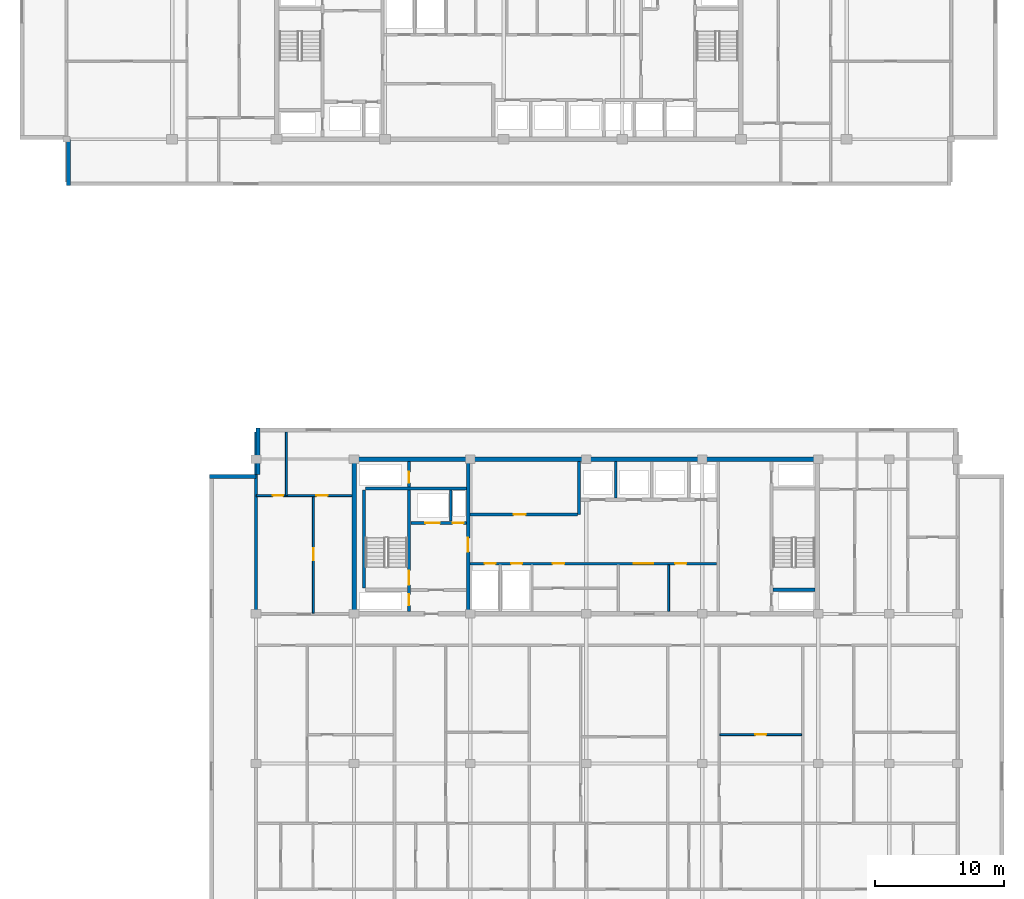
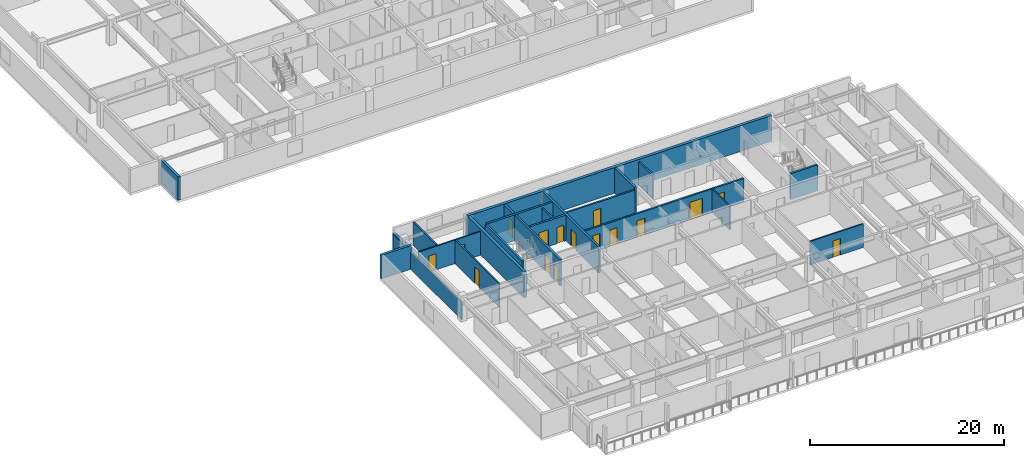
# One storey, part 6 of 21: 22 walls, 16 doors, 16 openings.
"""IFC4 building model written with IfcOpenShell, lengths in metres."""

from ifc_helpers import new_model, si_unit, direction, frame, frame_2d, origin, place, context, subcontext, project, spatial, rectangle, extrude, material, layer, layer_set, type_object, element, fill, save


model = new_model("IFC4")

# Units and contexts
model_context = context("Model", 3, precision=1e-05, world=origin(), true_north=direction((0.0, 1.0)))
body_context = subcontext(model_context, "Body", "Model", "MODEL_VIEW")
ifc_project = project(units=[si_unit("LENGTHUNIT", "METRE"), si_unit("AREAUNIT", "SQUARE_METRE"), si_unit("VOLUMEUNIT", "CUBIC_METRE"), si_unit("PLANEANGLEUNIT", "RADIAN"), si_unit("MASSUNIT", "GRAM", prefix="KILO")], contexts=[model_context])

# Site, building, storey
site_placement = place(None, origin())
site = spatial("IfcSite", under=ifc_project, at=site_placement, CompositionType="ELEMENT")
building_placement = place(site_placement, origin())
building = spatial("IfcBuilding", under=site, at=building_placement, Name="Korimba Cascade Residences", CompositionType="ELEMENT")
storey_placement = place(building_placement, frame((0.0, 0.0, 171.85009765625)))
storey = spatial("IfcBuildingStorey", under=building, at=storey_placement, Name="L49", CompositionType="ELEMENT", Elevation=171.85009765625)

# Walls
ifc_material_1 = material(Name="Precast concrete C40/50", Category="concrete")
ifc_layer_1 = layer(ifc_material_1, 0.300048828125)
ifc_layer_set_1 = layer_set([ifc_layer_1], Name="Precast concrete C40/50")
wall_type_1 = type_object("IfcWallType", Name="EW-STONE-300", PredefinedType="STANDARD", material=ifc_layer_set_1)
wall_1_placement = place(storey_placement, frame((59.949951171875, 55.199951171875, 0.0), z_axis=(0.0, 0.0, 1.0), x_axis=(0.0, -1.0, 0.0)))
element("IfcWall", 1, at=wall_1_placement, inside=storey, type_object=wall_type_1, Name="L49 T1 Perimeter Stone Wall E11", PredefinedType="STANDARD", context=body_context, shape_type="SweptSolid", body=[
    extrude(rectangle(XDim=3.599853515625, YDim=0.300048828125, at=frame_2d((1.7998046875, 0.0))), origin(), (0.0, 0.0, 1.0), 2.969970703125),
])
wall_2_placement = place(storey_placement, frame((74.64990234375, 32.800048828125, 0.0), z_axis=(0.0, 0.0, 1.0), x_axis=(0.0, -1.0, 0.0)))
element("IfcWall", 2, at=wall_2_placement, inside=storey, type_object=wall_type_1, Name="L49 T2 Perimeter Stone Wall E07", PredefinedType="STANDARD", context=body_context, shape_type="SweptSolid", body=[
    extrude(rectangle(XDim=3.60009765625, YDim=0.300048828125, at=frame_2d((1.800048828125, 0.0))), origin(), (0.0, 0.0, 1.0), 2.2001953125),
])
wall_3_placement = place(storey_placement, frame((74.5, 29.050048828125, 0.0), z_axis=(0.0, 0.0, 1.0), x_axis=(-1.0, 0.0, 0.0)))
element("IfcWall", 3, at=wall_3_placement, inside=storey, type_object=wall_type_1, Name="L49 T2 Perimeter Stone Wall E08", PredefinedType="STANDARD", context=body_context, shape_type="SweptSolid", body=[
    extrude(rectangle(XDim=3.60009765625, YDim=0.300048828125, at=frame_2d((1.800048828125, 0.0))), origin(), (0.0, 0.0, 1.0), 2.969970703125),
])
ifc_material_2 = material(Name="Concrete C65/80", Category="concrete")
ifc_layer_2 = layer(ifc_material_2, 0.35009765625)
ifc_layer_set_2 = layer_set([ifc_layer_2], Name="Concrete C65/80")
wall_type_2 = type_object("IfcWallType", Name="WAL-CORE-350", PredefinedType="SHEAR", material=ifc_layer_set_2)
wall_4_placement = place(storey_placement, frame((81.925048828125, 30.39990234375, 0.0), z_axis=(0.0, 0.0, 1.0), x_axis=(1.0, 0.0, 0.0)))
element("IfcWall", 4, at=wall_4_placement, inside=storey, type_object=wall_type_2, Name="L49 Core Shear Wall CW-L49-T2-N", PredefinedType="SHEAR", context=body_context, shape_type="SweptSolid", body=[
    extrude(rectangle(XDim=36.264892578125, YDim=0.35009765625, at=frame_2d((18.13232421875, 0.0))), origin(), (0.0, 0.0, 1.0), 3.25),
])
wall_5_placement = place(storey_placement, frame((82.10009765625, 18.574951171875, 0.0), z_axis=(0.0, 0.0, 1.0), x_axis=(0.0, 1.0, 0.0)))
element("IfcWall", 5, at=wall_5_placement, inside=storey, type_object=wall_type_2, Name="L49 Core Shear Wall CW-L49-T2-W", PredefinedType="SHEAR", context=body_context, shape_type="SweptSolid", body=[
    extrude(rectangle(XDim=11.650146484375, YDim=0.35009765625, at=frame_2d((5.8251953125, 0.0))), origin(), (0.0, 0.0, 1.0), 3.25),
])
ifc_layer_3 = layer(ifc_material_1, 0.199951171875)
ifc_layer_set_3 = layer_set([ifc_layer_3], Name="Precast concrete C40/50")
wall_type_3 = type_object("IfcWallType", Name="WAL-IT-200", PredefinedType="PARTITIONING", material=ifc_layer_set_3)
wall_6_placement = place(storey_placement, frame((74.5, 18.39990234375, 0.0), z_axis=(0.0, 0.0, 1.0), x_axis=(0.0, 1.0, 0.0)))
element("IfcWall", 6, at=wall_6_placement, inside=storey, type_object=wall_type_3, Name="L49 Partition Wall WAL-L49-T2-FW-WL", PredefinedType="PARTITIONING", context=body_context, shape_type="SweptSolid", body=[
    extrude(rectangle(XDim=14.10009765625, YDim=0.199951171875, at=frame_2d((7.050048828125, 0.0))), origin(), (0.0, 0.0, 1.0), 2.2001953125),
])
ifc_material_3 = material(Name="Insulated Acoustic Stud Partition", Category="gypsum")
ifc_layer_4 = layer(ifc_material_3, 0.14990234375)
ifc_layer_set_4 = layer_set([ifc_layer_4], Name="Insulated Acoustic Stud Partition")
wall_type_4 = type_object("IfcWallType", Name="WAL-PART-150", PredefinedType="PARTITIONING", material=ifc_layer_set_4)
wall_7_placement = place(storey_placement, frame((106.5, 18.60009765625, 0.0), z_axis=(0.0, 0.0, 1.0), x_axis=(0.0, 1.0, 0.0)))
element("IfcWall", 7, at=wall_7_placement, inside=storey, type_object=wall_type_4, Name="L49 Partition Wall CW-L49-T2-THE", PredefinedType="PARTITIONING", context=body_context, shape_type="SweptSolid", body=[
    extrude(rectangle(XDim=3.599853515625, YDim=0.14990234375, at=frame_2d((1.7998046875, 0.0))), origin(), (0.0, 0.0, 1.0), 2.969970703125),
])

# Wall, opening, door
wall_8_placement = place(storey_placement, frame((78.945068359375, 18.449951171875, 0.0), z_axis=(0.0, 0.0, 1.0), x_axis=(0.0, 1.0, 0.0)))
wall_8 = element("IfcWall", 8, at=wall_8_placement, inside=storey, type_object=wall_type_4, Name="L49 Partition Wall WAL-L49-T2-FW-VS", PredefinedType="PARTITIONING", context=body_context, shape_type="SweptSolid", body=[
    extrude(rectangle(XDim=9.1201171875, YDim=0.14990234375, at=frame_2d((4.56005859375, 0.0))), origin(), (0.0, 0.0, 1.0), 2.969970703125),
])
opening_1_placement = place(wall_8_placement, frame((4.10009765625, 0.0, 0.0)))
opening_1 = element("IfcOpeningElement", 9, at=opening_1_placement, cuts=wall_8, Name="Opening D-IN1", PredefinedType="OPENING", context=body_context, shape_type="SweptSolid", body=[
    extrude(rectangle(XDim=0.919921875, YDim=2.080078125, at=frame_2d((0.4599609375, 1.0400390625))), frame((0.0, 0.0849609375, 0.0), z_axis=(0.0, -1.0, 0.0), x_axis=(1.0, 0.0, 0.0)), (0.0, 0.0, 1.0), 0.169921875),
])
ifc_material_4 = material(Name="Acoustic Timber Living Door", Category="wood")
door_type_1 = type_object("IfcDoorType", Name="DR-INT-920", OperationType="NOTDEFINED", PredefinedType="DOOR", material=ifc_material_4)
door_1_placement = place(opening_1_placement, origin())
door_1 = element("IfcDoor", 10, at=door_1_placement, inside=storey, type_object=door_type_1, Name="L49-T2-FW Living Door", OperationType="SINGLE_SWING_LEFT", OverallHeight=2.080078125, OverallWidth=0.919921875, PredefinedType="DOOR", context=body_context, shape_type="SweptSolid", body=[
    extrude(rectangle(XDim=0.919921875, YDim=2.080078125, at=frame_2d((0.4599609375, 1.0400390625))), frame((0.0, 0.02490234375, 0.0), z_axis=(0.0, -1.0, 0.0), x_axis=(1.0, 0.0, 0.0)), (0.0, 0.0, 1.0), 0.050048828125),
])
fill(opening_1, door_1)

# Wall
wall_9_placement = place(storey_placement, frame((76.85009765625, 27.570068359375, 0.0), z_axis=(0.0, 0.0, 1.0), x_axis=(0.0, 1.0, 0.0)))
element("IfcWall", 11, at=wall_9_placement, inside=storey, type_object=wall_type_4, Name="L49 Partition Wall WAL-L49-T2-FW-VN", PredefinedType="PARTITIONING", context=body_context, shape_type="SweptSolid", body=[
    extrude(rectangle(XDim=4.929931640625, YDim=0.14990234375, at=frame_2d((2.46484375, 0.0))), origin(), (0.0, 0.0, 1.0), 2.969970703125),
])

# Wall, openings, doors
wall_10_placement = place(storey_placement, frame((74.52001953125, 27.570068359375, 0.0), z_axis=(0.0, 0.0, 1.0), x_axis=(1.0, 0.0, 0.0)))
wall_10 = element("IfcWall", 12, at=wall_10_placement, inside=storey, type_object=wall_type_4, Name="L49 Partition Wall WAL-L49-T2-FW-H", PredefinedType="PARTITIONING", context=body_context, shape_type="SweptSolid", body=[
    extrude(rectangle(XDim=7.409912109375, YDim=0.14990234375, at=frame_2d((3.705078125, 0.0))), origin(), (0.0, 0.0, 1.0), 2.969970703125),
])
opening_2_placement = place(wall_10_placement, frame((1.266357421875, 0.0, 0.0)))
opening_2 = element("IfcOpeningElement", 13, at=opening_2_placement, cuts=wall_10, Name="Opening D-BT1", PredefinedType="OPENING", context=body_context, shape_type="SweptSolid", body=[
    extrude(rectangle(XDim=0.840087890625, YDim=2.0400390625, at=frame_2d((0.419921875, 1.02001953125))), frame((0.0, 0.0849609375, 0.0), z_axis=(0.0, -1.0, 0.0), x_axis=(1.0, 0.0, 0.0)), (0.0, 0.0, 1.0), 0.169921875),
])
opening_3_placement = place(wall_10_placement, frame((4.64501953125, 0.0, 0.0)))
opening_3 = element("IfcOpeningElement", 14, at=opening_3_placement, cuts=wall_10, Name="Opening D-IN2", PredefinedType="OPENING", context=body_context, shape_type="SweptSolid", body=[
    extrude(rectangle(XDim=0.8798828125, YDim=2.06005859375, at=frame_2d((0.43994140625, 1.030029296875))), frame((0.0, 0.0849609375, 0.0), z_axis=(0.0, -1.0, 0.0), x_axis=(1.0, 0.0, 0.0)), (0.0, 0.0, 1.0), 0.169921875),
])
ifc_material_5 = material(Name="Moisture-Resistant Bathroom Timber Door", Category="wood")
door_type_2 = type_object("IfcDoorType", Name="DR-INT-850", OperationType="NOTDEFINED", PredefinedType="DOOR", material=ifc_material_5)
door_2_placement = place(opening_2_placement, origin())
door_2 = element("IfcDoor", 15, at=door_2_placement, inside=storey, type_object=door_type_2, Name="L49-T2-FW Bathroom Door", OperationType="SINGLE_SWING_RIGHT", OverallHeight=2.0400390625, OverallWidth=0.840087890625, PredefinedType="DOOR", context=body_context, shape_type="SweptSolid", body=[
    extrude(rectangle(XDim=0.840087890625, YDim=2.0400390625, at=frame_2d((0.419921875, 1.02001953125))), frame((0.0, 0.02490234375, 0.0), z_axis=(0.0, -1.0, 0.0), x_axis=(1.0, 0.0, 0.0)), (0.0, 0.0, 1.0), 0.050048828125),
])
fill(opening_2, door_2)
ifc_material_6 = material(Name="Acoustic Timber Bedroom Door", Category="wood")
door_type_3 = type_object("IfcDoorType", Name="DR-INT-880", OperationType="NOTDEFINED", PredefinedType="DOOR", material=ifc_material_6)
door_3_placement = place(opening_3_placement, origin())
door_3 = element("IfcDoor", 16, at=door_3_placement, inside=storey, type_object=door_type_3, Name="L49-T2-FW Bedroom Door", OperationType="SINGLE_SWING_LEFT", OverallHeight=2.06005859375, OverallWidth=0.8798828125, PredefinedType="DOOR", context=body_context, shape_type="SweptSolid", body=[
    extrude(rectangle(XDim=0.8798828125, YDim=2.06005859375, at=frame_2d((0.43994140625, 1.030029296875))), frame((0.0, 0.02490234375, 0.0), z_axis=(0.0, -1.0, 0.0), x_axis=(1.0, 0.0, 0.0)), (0.0, 0.0, 1.0), 0.050048828125),
])
fill(opening_3, door_3)

# Wall, opening, door
wall_11_placement = place(storey_placement, frame((110.466796875, 9.0400390625, 0.0), z_axis=(0.0, 0.0, 1.0), x_axis=(1.0, 0.0, 0.0)))
wall_11 = element("IfcWall", 17, at=wall_11_placement, inside=storey, type_object=wall_type_4, Name="L49 Partition Wall WAL-L49-T2-U04-FMH", PredefinedType="PARTITIONING", context=body_context, shape_type="SweptSolid", body=[
    extrude(rectangle(XDim=6.344970703125, YDim=0.14990234375, at=frame_2d((3.17236328125, 0.0))), origin(), (0.0, 0.0, 1.0), 2.969970703125),
])
opening_4_placement = place(wall_11_placement, frame((2.732421875, 0.0, 0.0)))
opening_4 = element("IfcOpeningElement", 18, at=opening_4_placement, cuts=wall_11, Name="Opening D-IN2", PredefinedType="OPENING", context=body_context, shape_type="SweptSolid", body=[
    extrude(rectangle(XDim=0.8798828125, YDim=2.06005859375, at=frame_2d((0.43994140625, 1.030029296875))), frame((0.0, 0.0849609375, 0.0), z_axis=(0.0, -1.0, 0.0), x_axis=(1.0, 0.0, 0.0)), (0.0, 0.0, 1.0), 0.169921875),
])
door_4_placement = place(opening_4_placement, origin())
door_4 = element("IfcDoor", 19, at=door_4_placement, inside=storey, type_object=door_type_3, Name="L49-T2-U04 Library Salon Door", OperationType="SINGLE_SWING_LEFT", OverallHeight=2.06005859375, OverallWidth=0.8798828125, PredefinedType="DOOR", context=body_context, shape_type="SweptSolid", body=[
    extrude(rectangle(XDim=0.8798828125, YDim=2.06005859375, at=frame_2d((0.43994140625, 1.030029296875))), frame((0.0, 0.02490234375, 0.0), z_axis=(0.0, -1.0, 0.0), x_axis=(1.0, 0.0, 0.0)), (0.0, 0.0, 1.0), 0.050048828125),
])
fill(opening_4, door_4)

# Wall
ifc_material_7 = material(Name="Concrete C40/50", Category="concrete")
ifc_layer_5 = layer(ifc_material_7, 0.199951171875)
ifc_layer_set_5 = layer_set([ifc_layer_5], Name="Concrete C40/50")
wall_type_5 = type_object("IfcWallType", Name="WAL-PART-200", PredefinedType="PARTITIONING", material=ifc_layer_set_5)
wall_12_placement = place(storey_placement, frame((89.60009765625, 25.580078125, 0.0), z_axis=(0.0, 0.0, 1.0), x_axis=(0.0, 1.0, 0.0)))
element("IfcWall", 20, at=wall_12_placement, inside=storey, type_object=wall_type_5, Name="L49 Partition Wall CW-L49-T2-FFLDIV", PredefinedType="PARTITIONING", context=body_context, shape_type="SweptSolid", body=[
    extrude(rectangle(XDim=2.419921875, YDim=0.199951171875, at=frame_2d((1.2099609375, 0.0))), origin(), (0.0, 0.0, 1.0), 2.969970703125),
])

# Wall, opening, door
wall_13_placement = place(storey_placement, frame((91.080078125, 26.10009765625, 0.0), z_axis=(0.0, 0.0, 1.0), x_axis=(1.0, 0.0, 0.0)))
wall_13 = element("IfcWall", 21, at=wall_13_placement, inside=storey, type_object=wall_type_5, Name="L49 Partition Wall CW-L49-T2-B1RS", PredefinedType="PARTITIONING", context=body_context, shape_type="SweptSolid", body=[
    extrude(rectangle(XDim=8.33984375, YDim=0.199951171875, at=frame_2d((4.169921875, 0.0))), origin(), (0.0, 0.0, 1.0), 2.969970703125),
])
opening_5_placement = place(wall_13_placement, frame((3.39990234375, 0.0, 0.0)))
opening_5 = element("IfcOpeningElement", 22, at=opening_5_placement, cuts=wall_13, Name="Opening D-ST1", PredefinedType="OPENING", context=body_context, shape_type="SweptSolid", body=[
    extrude(rectangle(XDim=0.919921875, YDim=2.080078125, at=frame_2d((0.4599609375, 1.0400390625))), frame((0.0, 0.10986328125, 0.0), z_axis=(0.0, -1.0, 0.0), x_axis=(1.0, 0.0, 0.0)), (0.0, 0.0, 1.0), 0.219970703125),
])
ifc_material_8 = material(Name="Fire-Rated Core Store Door", Category="wood")
door_type_4 = type_object("IfcDoorType", Name="DR-FD60-920", OperationType="NOTDEFINED", PredefinedType="DOOR", material=ifc_material_8)
door_5_placement = place(opening_5_placement, origin())
door_5 = element("IfcDoor", 23, at=door_5_placement, inside=storey, type_object=door_type_4, Name="L49 T2 Resident Storage Door", OperationType="SINGLE_SWING_RIGHT", OverallHeight=2.080078125, OverallWidth=0.919921875, PredefinedType="DOOR", context=body_context, shape_type="SweptSolid", body=[
    extrude(rectangle(XDim=0.919921875, YDim=2.080078125, at=frame_2d((0.4599609375, 1.0400390625))), frame((0.0, 0.02490234375, 0.0), z_axis=(0.0, -1.0, 0.0), x_axis=(1.0, 0.0, 0.0)), (0.0, 0.0, 1.0), 0.050048828125),
])
fill(opening_5, door_5)

# Wall
wall_14_placement = place(storey_placement, frame((102.39990234375, 27.3798828125, 0.0), z_axis=(0.0, 0.0, 1.0), x_axis=(0.0, 1.0, 0.0)))
element("IfcWall", 24, at=wall_14_placement, inside=storey, type_object=wall_type_5, Name="L49 Partition Wall CW-L49-T2-B2D1", PredefinedType="PARTITIONING", context=body_context, shape_type="SweptSolid", body=[
    extrude(rectangle(XDim=2.820068359375, YDim=0.199951171875, at=frame_2d((1.41015625, 0.0))), origin(), (0.0, 0.0, 1.0), 2.969970703125),
])

# Wall, openings, doors
wall_15_placement = place(storey_placement, frame((91.080078125, 22.300048828125, 0.0), z_axis=(0.0, 0.0, 1.0), x_axis=(1.0, 0.0, 0.0)))
wall_15 = element("IfcWall", 25, at=wall_15_placement, inside=storey, type_object=wall_type_5, Name="L49 Partition Wall CW-L49-T2-SRVROW", PredefinedType="PARTITIONING", context=body_context, shape_type="SweptSolid", body=[
    extrude(rectangle(XDim=19.139892578125, YDim=0.199951171875, at=frame_2d((9.56982421875, 0.0))), origin(), (0.0, 0.0, 1.0), 2.969970703125),
])
opening_6_placement = place(wall_15_placement, frame((1.14990234375, 0.0, 0.0)))
opening_6 = element("IfcOpeningElement", 26, at=opening_6_placement, cuts=wall_15, Name="Opening D-RS1", PredefinedType="OPENING", context=body_context, shape_type="SweptSolid", body=[
    extrude(rectangle(XDim=0.85009765625, YDim=2.050048828125, at=frame_2d((0.425048828125, 1.02490234375))), frame((0.0, 0.10986328125, 0.0), z_axis=(0.0, -1.0, 0.0), x_axis=(1.0, 0.0, 0.0)), (0.0, 0.0, 1.0), 0.219970703125),
])
opening_7_placement = place(wall_15_placement, frame((3.199951171875, 0.0, 0.0)))
opening_7 = element("IfcOpeningElement", 27, at=opening_7_placement, cuts=wall_15, Name="Opening D-RS1", PredefinedType="OPENING", context=body_context, shape_type="SweptSolid", body=[
    extrude(rectangle(XDim=0.85009765625, YDim=2.050048828125, at=frame_2d((0.425048828125, 1.02490234375))), frame((0.0, 0.10986328125, 0.0), z_axis=(0.0, -1.0, 0.0), x_axis=(1.0, 0.0, 0.0)), (0.0, 0.0, 1.0), 0.219970703125),
])
opening_8_placement = place(wall_15_placement, frame((12.719970703125, 0.0, 0.0)))
opening_8 = element("IfcOpeningElement", 28, at=opening_8_placement, cuts=wall_15, Name="Opening D-FD8", PredefinedType="OPENING", context=body_context, shape_type="SweptSolid", body=[
    extrude(rectangle(XDim=1.5, YDim=2.199951171875, at=frame_2d((0.75, 1.10009765625))), frame((0.0, 0.10986328125, 0.0), z_axis=(0.0, -1.0, 0.0), x_axis=(1.0, 0.0, 0.0)), (0.0, 0.0, 1.0), 0.219970703125),
])
opening_9_placement = place(wall_15_placement, frame((6.419921875, 0.0, 0.0)))
opening_9 = element("IfcOpeningElement", 29, at=opening_9_placement, cuts=wall_15, Name="Opening D-IN1", PredefinedType="OPENING", context=body_context, shape_type="SweptSolid", body=[
    extrude(rectangle(XDim=0.919921875, YDim=2.080078125, at=frame_2d((0.4599609375, 1.0400390625))), frame((0.0, 0.10986328125, 0.0), z_axis=(0.0, -1.0, 0.0), x_axis=(1.0, 0.0, 0.0)), (0.0, 0.0, 1.0), 0.219970703125),
])
opening_10_placement = place(wall_15_placement, frame((15.919921875, 0.0, 0.0)))
opening_10 = element("IfcOpeningElement", 30, at=opening_10_placement, cuts=wall_15, Name="Opening D-IN2", PredefinedType="OPENING", context=body_context, shape_type="SweptSolid", body=[
    extrude(rectangle(XDim=0.8798828125, YDim=2.06005859375, at=frame_2d((0.43994140625, 1.030029296875))), frame((0.0, 0.10986328125, 0.0), z_axis=(0.0, -1.0, 0.0), x_axis=(1.0, 0.0, 0.0)), (0.0, 0.0, 1.0), 0.219970703125),
])
ifc_material_9 = material(Name="Fire-Rated Steel Riser Access Door", Category="steel")
door_type_5 = type_object("IfcDoorType", Name="DR-FD60-850", OperationType="NOTDEFINED", PredefinedType="DOOR", material=ifc_material_9)
door_6_placement = place(opening_6_placement, origin())
door_6 = element("IfcDoor", 31, at=door_6_placement, inside=storey, type_object=door_type_5, Name="L49 T2 Electrical Riser Door", OperationType="SINGLE_SWING_LEFT", OverallHeight=2.050048828125, OverallWidth=0.85009765625, PredefinedType="DOOR", context=body_context, shape_type="SweptSolid", body=[
    extrude(rectangle(XDim=0.85009765625, YDim=2.050048828125, at=frame_2d((0.425048828125, 1.02490234375))), frame((0.0, 0.02490234375, 0.0), z_axis=(0.0, -1.0, 0.0), x_axis=(1.0, 0.0, 0.0)), (0.0, 0.0, 1.0), 0.050048828125),
])
fill(opening_6, door_6)
door_7_placement = place(opening_7_placement, origin())
door_7 = element("IfcDoor", 32, at=door_7_placement, inside=storey, type_object=door_type_5, Name="L49 T2 Plumbing Riser Door", OperationType="SINGLE_SWING_RIGHT", OverallHeight=2.050048828125, OverallWidth=0.85009765625, PredefinedType="DOOR", context=body_context, shape_type="SweptSolid", body=[
    extrude(rectangle(XDim=0.85009765625, YDim=2.050048828125, at=frame_2d((0.425048828125, 1.02490234375))), frame((0.0, 0.02490234375, 0.0), z_axis=(0.0, -1.0, 0.0), x_axis=(1.0, 0.0, 0.0)), (0.0, 0.0, 1.0), 0.050048828125),
])
fill(opening_7, door_7)
ifc_material_10 = material(Name="Fire-Rated Glazed Lift Lobby Double Door", Category="glass")
door_type_6 = type_object("IfcDoorType", Name="DR-FD90-1500", OperationType="NOTDEFINED", PredefinedType="DOOR", material=ifc_material_10)
door_8_placement = place(opening_8_placement, origin())
door_8 = element("IfcDoor", 33, at=door_8_placement, inside=storey, type_object=door_type_6, Name="L49 T2 Lift Lobby Foyer Door", OperationType="DOUBLE_DOOR_SINGLE_SWING", OverallHeight=2.199951171875, OverallWidth=1.5, PredefinedType="DOOR", context=body_context, shape_type="SweptSolid", body=[
    extrude(rectangle(XDim=1.5, YDim=2.199951171875, at=frame_2d((0.75, 1.10009765625))), frame((0.0, 0.02490234375, 0.0), z_axis=(0.0, -1.0, 0.0), x_axis=(1.0, 0.0, 0.0)), (0.0, 0.0, 1.0), 0.050048828125),
])
fill(opening_8, door_8)
door_9_placement = place(opening_10_placement, origin())
door_9 = element("IfcDoor", 34, at=door_9_placement, inside=storey, type_object=door_type_3, Name="L49 T2 Staff WC Door", OperationType="SINGLE_SWING_RIGHT", OverallHeight=2.06005859375, OverallWidth=0.8798828125, PredefinedType="DOOR", context=body_context, shape_type="SweptSolid", body=[
    extrude(rectangle(XDim=0.8798828125, YDim=2.06005859375, at=frame_2d((0.43994140625, 1.030029296875))), frame((0.0, 0.02490234375, 0.0), z_axis=(0.0, -1.0, 0.0), x_axis=(1.0, 0.0, 0.0)), (0.0, 0.0, 1.0), 0.050048828125),
])
fill(opening_10, door_9)
door_10_placement = place(opening_9_placement, origin())
door_10 = element("IfcDoor", 35, at=door_10_placement, inside=storey, type_object=door_type_1, Name="L49 T2 Locker Door", OperationType="SINGLE_SWING_LEFT", OverallHeight=2.080078125, OverallWidth=0.919921875, PredefinedType="DOOR", context=body_context, shape_type="SweptSolid", body=[
    extrude(rectangle(XDim=0.919921875, YDim=2.080078125, at=frame_2d((0.4599609375, 1.0400390625))), frame((0.0, 0.02490234375, 0.0), z_axis=(0.0, -1.0, 0.0), x_axis=(1.0, 0.0, 0.0)), (0.0, 0.0, 1.0), 0.050048828125),
])
fill(opening_9, door_10)

# Wall
ifc_material_11 = material(Name="Concrete C50/60", Category="concrete")
ifc_layer_6 = layer(ifc_material_11, 0.25)
ifc_layer_set_6 = layer_set([ifc_layer_6], Name="Concrete C50/60")
wall_type_6 = type_object("IfcWallType", Name="WAL-SHAFT-250", PredefinedType="SHEAR", material=ifc_layer_set_6)
wall_16_placement = place(storey_placement, frame((82.875, 20.39990234375, 0.0), z_axis=(0.0, 0.0, 1.0), x_axis=(0.0, 1.0, 0.0)))
element("IfcWall", 36, at=wall_16_placement, inside=storey, type_object=wall_type_6, Name="L49 Core Shear Wall CW-L49-T2-STE1W", PredefinedType="SHEAR", context=body_context, shape_type="SweptSolid", body=[
    extrude(rectangle(XDim=7.60009765625, YDim=0.25, at=frame_2d((3.800048828125, 0.0))), origin(), (0.0, 0.0, 1.0), 3.25),
])

# Wall, openings, doors
wall_17_placement = place(storey_placement, frame((86.364990234375, 18.60009765625, 0.0), z_axis=(0.0, 0.0, 1.0), x_axis=(0.0, 1.0, 0.0)))
wall_17 = element("IfcWall", 37, at=wall_17_placement, inside=storey, type_object=wall_type_6, Name="L49 Core Shear Wall CW-L49-T2-STE1E", PredefinedType="SHEAR", context=body_context, shape_type="SweptSolid", body=[
    extrude(rectangle(XDim=11.599853515625, YDim=0.25, at=frame_2d((5.7998046875, 0.0))), origin(), (0.0, 0.0, 1.0), 3.25),
])
opening_11_placement = place(wall_17_placement, frame((0.449951171875, 0.0, 0.0)))
opening_11 = element("IfcOpeningElement", 38, at=opening_11_placement, cuts=wall_17, Name="Opening D-RS1", PredefinedType="OPENING", context=body_context, shape_type="SweptSolid", body=[
    extrude(rectangle(XDim=0.85009765625, YDim=2.050048828125, at=frame_2d((0.425048828125, 1.02490234375))), frame((0.0, 0.135009765625, 0.0), z_axis=(0.0, -1.0, 0.0), x_axis=(1.0, 0.0, 0.0)), (0.0, 0.0, 1.0), 0.27001953125),
])
opening_12_placement = place(wall_17_placement, frame((2.050048828125, 0.0, 0.0)))
opening_12 = element("IfcOpeningElement", 39, at=opening_12_placement, cuts=wall_17, Name="Opening D-FD1", PredefinedType="OPENING", context=body_context, shape_type="SweptSolid", body=[
    extrude(rectangle(XDim=1.10009765625, YDim=2.10009765625, at=frame_2d((0.550048828125, 1.050048828125))), frame((0.0, 0.135009765625, 0.0), z_axis=(0.0, -1.0, 0.0), x_axis=(1.0, 0.0, 0.0)), (0.0, 0.0, 1.0), 0.27001953125),
])
opening_13_placement = place(wall_17_placement, frame((9.949951171875, 0.0, 0.0)))
opening_13 = element("IfcOpeningElement", 40, at=opening_13_placement, cuts=wall_17, Name="Opening D-RS1", PredefinedType="OPENING", context=body_context, shape_type="SweptSolid", body=[
    extrude(rectangle(XDim=0.85009765625, YDim=2.050048828125, at=frame_2d((0.425048828125, 1.02490234375))), frame((0.0, 0.135009765625, 0.0), z_axis=(0.0, -1.0, 0.0), x_axis=(1.0, 0.0, 0.0)), (0.0, 0.0, 1.0), 0.27001953125),
])
ifc_material_12 = material(Name="Fire-Rated Steel Core Door", Category="steel")
door_type_7 = type_object("IfcDoorType", Name="DR-FD120-1100", OperationType="NOTDEFINED", PredefinedType="DOOR", material=ifc_material_12)
door_11_placement = place(opening_12_placement, origin())
door_11 = element("IfcDoor", 41, at=door_11_placement, inside=storey, type_object=door_type_7, Name="L49 Fire Stair ST-E1 Door", OperationType="SINGLE_SWING_LEFT", OverallHeight=2.10009765625, OverallWidth=1.10009765625, PredefinedType="DOOR", context=body_context, shape_type="SweptSolid", body=[
    extrude(rectangle(XDim=1.10009765625, YDim=2.10009765625, at=frame_2d((0.550048828125, 1.050048828125))), frame((0.0, 0.02490234375, 0.0), z_axis=(0.0, -1.0, 0.0), x_axis=(1.0, 0.0, 0.0)), (0.0, 0.0, 1.0), 0.050048828125),
])
fill(opening_12, door_11)
door_12_placement = place(opening_11_placement, origin())
door_12 = element("IfcDoor", 42, at=door_12_placement, inside=storey, type_object=door_type_5, Name="L49 T2 Hydrant Riser Door", OperationType="SINGLE_SWING_RIGHT", OverallHeight=2.050048828125, OverallWidth=0.85009765625, PredefinedType="DOOR", context=body_context, shape_type="SweptSolid", body=[
    extrude(rectangle(XDim=0.85009765625, YDim=2.050048828125, at=frame_2d((0.425048828125, 1.02490234375))), frame((0.0, 0.02490234375, 0.0), z_axis=(0.0, -1.0, 0.0), x_axis=(1.0, 0.0, 0.0)), (0.0, 0.0, 1.0), 0.050048828125),
])
fill(opening_11, door_12)
door_13_placement = place(opening_13_placement, origin())
door_13 = element("IfcDoor", 43, at=door_13_placement, inside=storey, type_object=door_type_5, Name="L49 T2 Smoke Shaft Door", OperationType="SINGLE_SWING_RIGHT", OverallHeight=2.050048828125, OverallWidth=0.85009765625, PredefinedType="DOOR", context=body_context, shape_type="SweptSolid", body=[
    extrude(rectangle(XDim=0.85009765625, YDim=2.050048828125, at=frame_2d((0.425048828125, 1.02490234375))), frame((0.0, 0.02490234375, 0.0), z_axis=(0.0, -1.0, 0.0), x_axis=(1.0, 0.0, 0.0)), (0.0, 0.0, 1.0), 0.050048828125),
])
fill(opening_13, door_13)

# Wall
wall_18_placement = place(storey_placement, frame((83.0, 28.125, 0.0), z_axis=(0.0, 0.0, 1.0), x_axis=(1.0, 0.0, 0.0)))
element("IfcWall", 44, at=wall_18_placement, inside=storey, type_object=wall_type_6, Name="L49 Core Shear Wall CW-L49-T2-STE1N", PredefinedType="SHEAR", context=body_context, shape_type="SweptSolid", body=[
    extrude(rectangle(XDim=7.820068359375, YDim=0.25, at=frame_2d((3.91015625, 0.0))), origin(), (0.0, 0.0, 1.0), 3.25),
])

# Wall, openings, doors
wall_19_placement = place(storey_placement, frame((86.5, 25.449951171875, 0.0), z_axis=(0.0, 0.0, 1.0), x_axis=(1.0, 0.0, 0.0)))
wall_19 = element("IfcWall", 45, at=wall_19_placement, inside=storey, type_object=wall_type_6, Name="L49 Core Shear Wall CW-L49-T2-FFLN", PredefinedType="SHEAR", context=body_context, shape_type="SweptSolid", body=[
    extrude(rectangle(XDim=4.320068359375, YDim=0.25, at=frame_2d((2.16015625, 0.0))), origin(), (0.0, 0.0, 1.0), 3.25),
])
opening_14_placement = place(wall_19_placement, frame((1.139892578125, 0.0, 0.0)))
opening_14 = element("IfcOpeningElement", 46, at=opening_14_placement, cuts=wall_19, Name="Opening LD-01", PredefinedType="OPENING", context=body_context, shape_type="SweptSolid", body=[
    extrude(rectangle(XDim=1.1201171875, YDim=2.1201171875, at=frame_2d((0.56005859375, 1.06005859375))), frame((0.0, 0.135009765625, 0.0), z_axis=(0.0, -1.0, 0.0), x_axis=(1.0, 0.0, 0.0)), (0.0, 0.0, 1.0), 0.27001953125),
])
opening_15_placement = place(wall_19_placement, frame((3.25, 0.0, 0.0)))
opening_15 = element("IfcOpeningElement", 47, at=opening_15_placement, cuts=wall_19, Name="Opening D-RS1", PredefinedType="OPENING", context=body_context, shape_type="SweptSolid", body=[
    extrude(rectangle(XDim=0.85009765625, YDim=2.050048828125, at=frame_2d((0.425048828125, 1.02490234375))), frame((0.0, 0.135009765625, 0.0), z_axis=(0.0, -1.0, 0.0), x_axis=(1.0, 0.0, 0.0)), (0.0, 0.0, 1.0), 0.27001953125),
])
door_14_placement = place(opening_15_placement, origin())
door_14 = element("IfcDoor", 48, at=door_14_placement, inside=storey, type_object=door_type_5, Name="L49 T2 Pressurisation Riser Door", OperationType="SINGLE_SWING_LEFT", OverallHeight=2.050048828125, OverallWidth=0.85009765625, PredefinedType="DOOR", context=body_context, shape_type="SweptSolid", body=[
    extrude(rectangle(XDim=0.85009765625, YDim=2.050048828125, at=frame_2d((0.425048828125, 1.02490234375))), frame((0.0, 0.02490234375, 0.0), z_axis=(0.0, -1.0, 0.0), x_axis=(1.0, 0.0, 0.0)), (0.0, 0.0, 1.0), 0.050048828125),
])
fill(opening_15, door_14)
ifc_material_13 = material(Name="Stainless Steel Lift Landing Sliding Door", Category="steel")
door_type_8 = type_object("IfcDoorType", Name="DR-LIFT-1100", OperationType="NOTDEFINED", PredefinedType="DOOR", material=ifc_material_13)
door_15_placement = place(opening_14_placement, origin())
door_15 = element("IfcDoor", 49, at=door_15_placement, inside=storey, type_object=door_type_8, Name="L49 Firefighting Lift Landing Door FFL-E1", OperationType="SLIDING_TO_RIGHT", OverallHeight=2.1201171875, OverallWidth=1.1201171875, PredefinedType="DOOR", context=body_context, shape_type="SweptSolid", body=[
    extrude(rectangle(XDim=1.1201171875, YDim=2.1201171875, at=frame_2d((0.56005859375, 1.06005859375))), frame((0.0, 0.02490234375, 0.0), z_axis=(0.0, -1.0, 0.0), x_axis=(1.0, 0.0, 0.0)), (0.0, 0.0, 1.0), 0.050048828125),
])
fill(opening_14, door_15)

# Wall, opening, door
wall_20_placement = place(storey_placement, frame((90.949951171875, 18.60009765625, 0.0), z_axis=(0.0, 0.0, 1.0), x_axis=(0.0, 1.0, 0.0)))
wall_20 = element("IfcWall", 50, at=wall_20_placement, inside=storey, type_object=wall_type_6, Name="L49 Core Shear Wall CW-L49-T2-FFLE", PredefinedType="SHEAR", context=body_context, shape_type="SweptSolid", body=[
    extrude(rectangle(XDim=11.599853515625, YDim=0.25, at=frame_2d((5.7998046875, 0.0))), origin(), (0.0, 0.0, 1.0), 3.25),
])
opening_16_placement = place(wall_20_placement, frame((4.60009765625, 0.0, 0.0)))
opening_16 = element("IfcOpeningElement", 51, at=opening_16_placement, cuts=wall_20, Name="Opening D-FD1", PredefinedType="OPENING", context=body_context, shape_type="SweptSolid", body=[
    extrude(rectangle(XDim=1.10009765625, YDim=2.10009765625, at=frame_2d((0.550048828125, 1.050048828125))), frame((0.0, 0.135009765625, 0.0), z_axis=(0.0, -1.0, 0.0), x_axis=(1.0, 0.0, 0.0)), (0.0, 0.0, 1.0), 0.27001953125),
])
door_16_placement = place(opening_16_placement, origin())
door_16 = element("IfcDoor", 52, at=door_16_placement, inside=storey, type_object=door_type_7, Name="L49 T2 Firefighting Lobby to Lift Lobby Door", OperationType="SINGLE_SWING_LEFT", OverallHeight=2.10009765625, OverallWidth=1.10009765625, PredefinedType="DOOR", context=body_context, shape_type="SweptSolid", body=[
    extrude(rectangle(XDim=1.10009765625, YDim=2.10009765625, at=frame_2d((0.550048828125, 1.050048828125))), frame((0.0, 0.02490234375, 0.0), z_axis=(0.0, -1.0, 0.0), x_axis=(1.0, 0.0, 0.0)), (0.0, 0.0, 1.0), 0.050048828125),
])
fill(opening_16, door_16)

# Walls
wall_21_placement = place(storey_placement, frame((99.550048828125, 26.10009765625, 0.0), z_axis=(0.0, 0.0, 1.0), x_axis=(0.0, 1.0, 0.0)))
element("IfcWall", 53, at=wall_21_placement, inside=storey, type_object=wall_type_6, Name="L49 Core Shear Wall CW-L49-T2-B12DIV", PredefinedType="SHEAR", context=body_context, shape_type="SweptSolid", body=[
    extrude(rectangle(XDim=4.099853515625, YDim=0.25, at=frame_2d((2.0498046875, 0.0))), origin(), (0.0, 0.0, 1.0), 3.25),
])
wall_22_placement = place(storey_placement, frame((114.60009765625, 20.27490234375, 0.0), z_axis=(0.0, 0.0, 1.0), x_axis=(1.0, 0.0, 0.0)))
element("IfcWall", 54, at=wall_22_placement, inside=storey, type_object=wall_type_6, Name="L49 Core Shear Wall CW-L49-T2-STE2S", PredefinedType="SHEAR", context=body_context, shape_type="SweptSolid", body=[
    extrude(rectangle(XDim=3.239990234375, YDim=0.25, at=frame_2d((1.6201171875, 0.0))), origin(), (0.0, 0.0, 1.0), 3.25),
])

save(model, "model.ifc")
